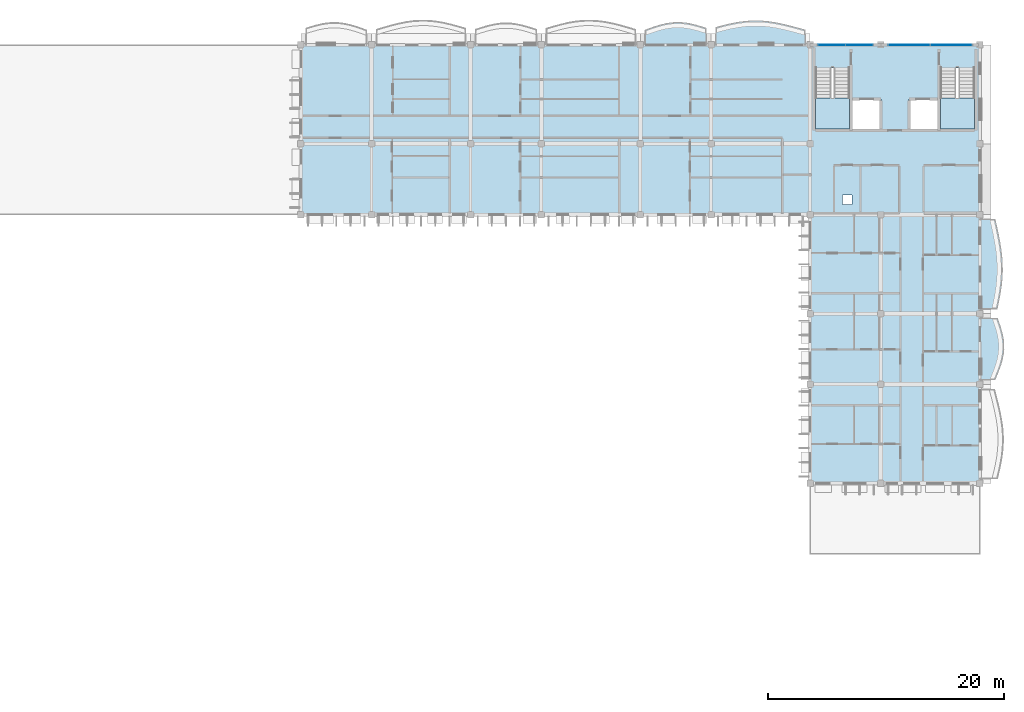
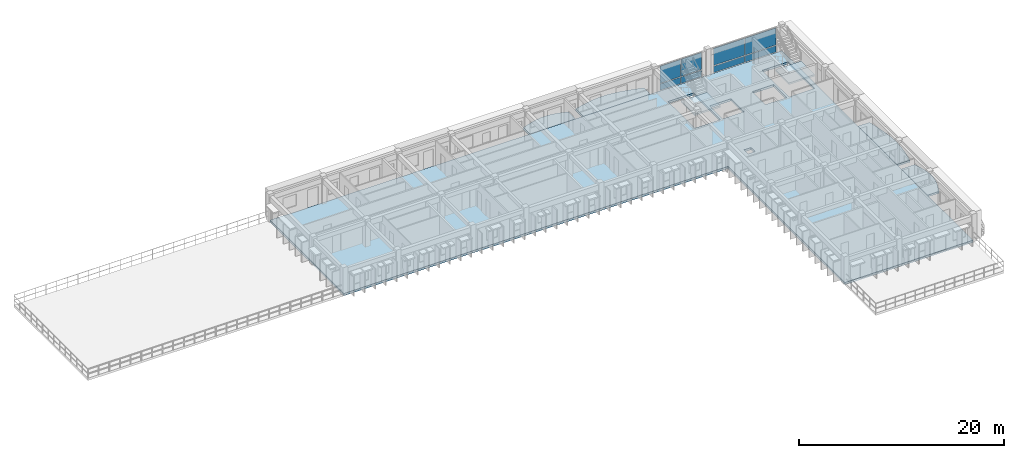
# One storey, part 9 of 45: 8 plates, 7 slabs, 4 elements without a shape of their own.
"""IFC4 building model written with IfcOpenShell, lengths in metres."""

from ifc_helpers import new_model, si_unit, direction, frame, origin, origin_2d, place, context, subcontext, project, spatial, polyline, rectangle, outline, extrude, material, layer, layer_set, type_object, element, aggregate, save


model = new_model("IFC4")

# Units and contexts
model_context = context("Model", 3, precision=1e-05, world=origin(), true_north=direction((0.0, 1.0)))
body_context = subcontext(model_context, "Body", "Model", "MODEL_VIEW")
ifc_project = project(units=[si_unit("LENGTHUNIT", "METRE"), si_unit("AREAUNIT", "SQUARE_METRE"), si_unit("VOLUMEUNIT", "CUBIC_METRE"), si_unit("PLANEANGLEUNIT", "RADIAN"), si_unit("MASSUNIT", "GRAM", prefix="KILO"), si_unit("THERMODYNAMICTEMPERATUREUNIT", "KELVIN")], contexts=[model_context])

# Site, building, storey
site_placement = place(None, origin())
site = spatial("IfcSite", under=ifc_project, at=site_placement, CompositionType="ELEMENT")
building_placement = place(site_placement, origin())
building = spatial("IfcBuilding", under=site, at=building_placement, Name="Thalorik Housing Commons", CompositionType="ELEMENT")
storey_placement = place(building_placement, frame((0.0, 0.0, 34.5)))
storey = spatial("IfcBuildingStorey", under=building, at=storey_placement, Name="L10", CompositionType="ELEMENT", Elevation=34.5)

# Curtain wall, plates
ifc_material_1 = material(Name="Anodised aluminium and solar-control low-E glass", Category="aluminium")
curtain_wall_type = type_object("IfcCurtainWallType", Name="ARC-CW-CORE", PredefinedType="USERDEFINED", material=ifc_material_1)
curtain_wall_1_placement = place(storey_placement, origin())
curtain_wall_1 = element("IfcCurtainWall", 1, at=curtain_wall_1_placement, inside=storey, type_object=curtain_wall_type, Name="L10 Curtain Wall CW-CORE-L10-B-116", ObjectType="CURTAIN WALL", PredefinedType="USERDEFINED")
ifc_material_2 = material(Name="Cobalt blue enamelled aluminium spandrel panel", Category="aluminium")
ifc_layer_1 = layer(ifc_material_2, 0.0458984375, Name="Cobalt blue enamelled aluminium spandrel panel", Category="aluminium")
ifc_layer_set_1 = layer_set([ifc_layer_1], Name="Cobalt blue enamelled aluminium spandrel panel")
plate_type_1 = type_object("IfcPlateType", Name="ARC-CP-BLU-46", PredefinedType="CURTAIN_PANEL", material=ifc_layer_set_1)
plate_1_placement = place(storey_placement, frame((164.375, 123.60009765625, 0.080078125), z_axis=(0.0, 0.0, 1.0), x_axis=(-1.0, 0.0, 0.0)))
plate_1 = element("IfcPlate", 2, at=plate_1_placement, type_object=plate_type_1, Name="CW-CORE-L10-B-116 Spandrel Panel 1", PredefinedType="CURTAIN_PANEL", context=body_context, shape_type="SweptSolid", body=[
    extrude(rectangle(XDim=3.489990234375, YDim=0.0458984375, at=origin_2d()), origin(), (0.0, 0.0, 1.0), 0.760009765625),
])
plate_2_placement = place(storey_placement, frame((160.824951171875, 123.60009765625, 0.080078125), z_axis=(0.0, 0.0, 1.0), x_axis=(-1.0, 0.0, 0.0)))
plate_2 = element("IfcPlate", 3, at=plate_2_placement, type_object=plate_type_1, Name="CW-CORE-L10-B-116 Spandrel Panel 2", PredefinedType="CURTAIN_PANEL", context=body_context, shape_type="SweptSolid", body=[
    extrude(rectangle(XDim=3.489990234375, YDim=0.0458984375, at=origin_2d()), origin(), (0.0, 0.0, 1.0), 0.760009765625),
])
ifc_material_3 = material(Name="Double solar-control low-E glass", Category="glass")
ifc_layer_2 = layer(ifc_material_3, 0.028076171875, Name="Double solar-control low-E glass", Category="glass")
ifc_layer_set_2 = layer_set([ifc_layer_2], Name="Double solar-control low-E glass")
plate_type_2 = type_object("IfcPlateType", Name="ARC-CP-GLZ-28", PredefinedType="CURTAIN_PANEL", material=ifc_layer_set_2)
plate_3_placement = place(storey_placement, frame((164.375, 123.60009765625, 0.919921875), z_axis=(0.0, 0.0, 1.0), x_axis=(-1.0, 0.0, 0.0)))
plate_3 = element("IfcPlate", 4, at=plate_3_placement, type_object=plate_type_2, Name="CW-CORE-L10-B-116 Vision Panel 1", PredefinedType="CURTAIN_PANEL", context=body_context, shape_type="SweptSolid", body=[
    extrude(rectangle(XDim=3.489990234375, YDim=0.028076171875, at=origin_2d()), origin(), (0.0, 0.0, 1.0), 2.0400390625),
])
plate_4_placement = place(storey_placement, frame((160.824951171875, 123.60009765625, 0.919921875), z_axis=(0.0, 0.0, 1.0), x_axis=(-1.0, 0.0, 0.0)))
plate_4 = element("IfcPlate", 5, at=plate_4_placement, type_object=plate_type_2, Name="CW-CORE-L10-B-116 Vision Panel 2", PredefinedType="CURTAIN_PANEL", context=body_context, shape_type="SweptSolid", body=[
    extrude(rectangle(XDim=3.489990234375, YDim=0.028076171875, at=origin_2d()), origin(), (0.0, 0.0, 1.0), 2.0400390625),
])
aggregate(curtain_wall_1, [plate_1, plate_3, plate_2, plate_4])

curtain_wall_2_placement = place(storey_placement, origin())
curtain_wall_2 = element("IfcCurtainWall", 6, at=curtain_wall_2_placement, inside=storey, type_object=curtain_wall_type, Name="L10 Curtain Wall CW-CORE-L10-B-117", ObjectType="CURTAIN WALL", PredefinedType="USERDEFINED")
plate_5_placement = place(storey_placement, frame((156.574951171875, 123.60009765625, 0.919921875), z_axis=(0.0, 0.0, 1.0), x_axis=(-1.0, 0.0, 0.0)))
plate_5 = element("IfcPlate", 7, at=plate_5_placement, type_object=plate_type_2, Name="CW-CORE-L10-B-117 Vision Panel 1", PredefinedType="CURTAIN_PANEL", context=body_context, shape_type="SweptSolid", body=[
    extrude(rectangle(XDim=2.2900390625, YDim=0.028076171875, at=origin_2d()), origin(), (0.0, 0.0, 1.0), 2.0400390625),
])
plate_6_placement = place(storey_placement, frame((154.22509765625, 123.60009765625, 0.919921875), z_axis=(0.0, 0.0, 1.0), x_axis=(-1.0, 0.0, 0.0)))
plate_6 = element("IfcPlate", 8, at=plate_6_placement, type_object=plate_type_2, Name="CW-CORE-L10-B-117 Vision Panel 2", PredefinedType="CURTAIN_PANEL", context=body_context, shape_type="SweptSolid", body=[
    extrude(rectangle(XDim=2.2900390625, YDim=0.028076171875, at=origin_2d()), origin(), (0.0, 0.0, 1.0), 2.0400390625),
])
ifc_material_4 = material(Name="Mineral ochre yellow aluminium spandrel panel", Category="aluminium")
ifc_layer_3 = layer(ifc_material_4, 0.050048828125, Name="Mineral ochre yellow aluminium spandrel panel", Category="aluminium")
ifc_layer_set_3 = layer_set([ifc_layer_3], Name="Mineral ochre yellow aluminium spandrel panel")
plate_type_3 = type_object("IfcPlateType", Name="ARC-CP-YEL-50", PredefinedType="CURTAIN_PANEL", material=ifc_layer_set_3)
plate_7_placement = place(storey_placement, frame((156.574951171875, 123.60009765625, 0.080078125), z_axis=(0.0, 0.0, 1.0), x_axis=(-1.0, 0.0, 0.0)))
plate_7 = element("IfcPlate", 9, at=plate_7_placement, type_object=plate_type_3, Name="CW-CORE-L10-B-117 Spandrel Panel 1", PredefinedType="CURTAIN_PANEL", context=body_context, shape_type="SweptSolid", body=[
    extrude(rectangle(XDim=2.2900390625, YDim=0.050048828125, at=origin_2d()), origin(), (0.0, 0.0, 1.0), 0.760009765625),
])
plate_8_placement = place(storey_placement, frame((154.22509765625, 123.60009765625, 0.080078125), z_axis=(0.0, 0.0, 1.0), x_axis=(-1.0, 0.0, 0.0)))
plate_8 = element("IfcPlate", 10, at=plate_8_placement, type_object=plate_type_3, Name="CW-CORE-L10-B-117 Spandrel Panel 2", PredefinedType="CURTAIN_PANEL", context=body_context, shape_type="SweptSolid", body=[
    extrude(rectangle(XDim=2.2900390625, YDim=0.050048828125, at=origin_2d()), origin(), (0.0, 0.0, 1.0), 0.760009765625),
])
aggregate(curtain_wall_2, [plate_7, plate_5, plate_8, plate_6])

# Stair, slab
ifc_material_5 = material(Name="Precast concrete C40/50", Category="concrete")
stair_type = type_object("IfcStairType", Name="ARC-STR-1350-R20", PredefinedType="HALF_TURN_STAIR", material=ifc_material_5)
stair_1_placement = place(storey_placement, origin())
stair_1 = element("IfcStair", 11, at=stair_1_placement, inside=storey, type_object=stair_type, Name="L10 Block B Smoke-Proof Stair 1", PredefinedType="HALF_TURN_STAIR")
ifc_layer_4 = layer(ifc_material_5, 0.199951171875, Name="Precast concrete C40/50", Category="concrete")
ifc_layer_set_4 = layer_set([ifc_layer_4], Name="Precast concrete C40/50")
slab_type_1 = type_object("IfcSlabType", Name="ARC-SLB-STLND-200", PredefinedType="LANDING", material=ifc_layer_set_4)
slab_1_placement = place(storey_placement, frame((0.0, 0.0, 1.449951171875)))
slab_1 = element("IfcSlab", 12, at=slab_1_placement, type_object=slab_type_1, Name="ST-B1 landing 1", PredefinedType="LANDING", context=body_context, shape_type="SweptSolid", body=[
    extrude(outline(polyline([(152.85009765625, 119.090087890625), (152.85009765625, 116.449951171875), (155.75, 116.449951171875), (155.75, 119.090087890625), (152.85009765625, 119.090087890625)])), origin(), (0.0, 0.0, 1.0), 0.199951171875),
])
aggregate(stair_1, [slab_1])

stair_2_placement = place(storey_placement, origin())
stair_2 = element("IfcStair", 13, at=stair_2_placement, inside=storey, type_object=stair_type, Name="L10 Block B Smoke-Proof Stair 2", PredefinedType="HALF_TURN_STAIR")
slab_2_placement = place(storey_placement, frame((0.0, 0.0, 1.449951171875)))
slab_2 = element("IfcSlab", 14, at=slab_2_placement, type_object=slab_type_1, Name="ST-B2 landing 1", PredefinedType="LANDING", context=body_context, shape_type="SweptSolid", body=[
    extrude(outline(polyline([(163.449951171875, 119.090087890625), (163.449951171875, 116.449951171875), (166.35009765625, 116.449951171875), (166.35009765625, 119.090087890625), (163.449951171875, 119.090087890625)])), origin(), (0.0, 0.0, 1.0), 0.199951171875),
])
aggregate(stair_2, [slab_2])

# Slabs
ifc_layer_5 = layer(ifc_material_5, 0.199951171875, Name="Precast concrete C40/50", Category="concrete")
ifc_layer_set_5 = layer_set([ifc_layer_5], Name="Precast concrete C40/50")
slab_type_2 = type_object("IfcSlabType", Name="STR-SLB-BALC-200", PredefinedType="FLOOR", material=ifc_layer_set_5)
slab_3_placement = place(storey_placement, frame((0.0, 0.0, -0.199951171875)))
element("IfcSlab", 15, at=slab_3_placement, inside=storey, type_object=slab_type_2, Name="L10 Block B Cushion Balcony 228", PredefinedType="FLOOR", context=body_context, shape_type="SweptSolid", body=[
    extrude(outline(polyline([(138.419921875, 123.60009765625), (143.580078125, 123.60009765625), (143.580078125, 125.0087890625), (143.14990234375, 125.1455078125), (142.719970703125, 125.270751953125), (142.2900390625, 125.37548828125), (141.860107421875, 125.45166015625), (141.429931640625, 125.4931640625), (141.0, 125.496826171875), (140.570068359375, 125.4619140625), (140.139892578125, 125.389892578125), (139.7099609375, 125.28564453125), (139.280029296875, 125.156005859375), (138.85009765625, 125.009765625), (138.419921875, 124.856689453125), (138.419921875, 123.60009765625)])), origin(), (0.0, 0.0, 1.0), 0.199951171875),
])
slab_4_placement = place(storey_placement, frame((0.0, 0.0, -0.199951171875)))
element("IfcSlab", 16, at=slab_4_placement, inside=storey, type_object=slab_type_2, Name="L10 Block B Cushion Balcony 231", PredefinedType="FLOOR", context=body_context, shape_type="SweptSolid", body=[
    extrude(outline(polyline([(168.08935546875, 95.219970703125), (168.265625, 95.64990234375), (168.433349609375, 96.080078125), (168.58154296875, 96.510009765625), (168.701171875, 96.93994140625), (168.784423828125, 97.3701171875), (168.826416015625, 97.800048828125), (168.825439453125, 98.22998046875), (168.78173828125, 98.659912109375), (168.698974609375, 99.090087890625), (168.583251953125, 99.52001953125), (168.443115234375, 99.949951171875), (168.287841796875, 100.3798828125), (166.800048828125, 100.3798828125), (166.800048828125, 95.219970703125), (168.08935546875, 95.219970703125)])), origin(), (0.0, 0.0, 1.0), 0.199951171875),
])
ifc_layer_6 = layer(ifc_material_5, 0.219970703125, Name="Precast concrete C40/50", Category="concrete")
ifc_layer_set_6 = layer_set([ifc_layer_6], Name="Precast concrete C40/50")
slab_type_3 = type_object("IfcSlabType", Name="STR-SLB-BALC-220", PredefinedType="FLOOR", material=ifc_layer_set_6)
slab_5_placement = place(storey_placement, frame((0.0, 0.0, -0.219970703125)))
element("IfcSlab", 17, at=slab_5_placement, inside=storey, type_object=slab_type_3, Name="L10 Block B Cushion Balcony 229", PredefinedType="FLOOR", context=body_context, shape_type="SweptSolid", body=[
    extrude(outline(polyline([(144.419921875, 123.60009765625), (151.97998046875, 123.60009765625), (151.97998046875, 124.855712890625), (151.35009765625, 125.028564453125), (150.719970703125, 125.19775390625), (150.090087890625, 125.351806640625), (149.4599609375, 125.48046875), (148.830078125, 125.57421875), (148.199951171875, 125.62646484375), (147.570068359375, 125.6337890625), (146.93994140625, 125.59521484375), (146.31005859375, 125.513427734375), (145.679931640625, 125.3935546875), (145.050048828125, 125.244140625), (144.419921875, 125.074951171875), (144.419921875, 123.60009765625)])), origin(), (0.0, 0.0, 1.0), 0.219970703125),
])
slab_6_placement = place(storey_placement, frame((0.0, 0.0, -0.219970703125)))
element("IfcSlab", 18, at=slab_6_placement, inside=storey, type_object=slab_type_3, Name="L10 Block B Cushion Balcony 232", PredefinedType="FLOOR", context=body_context, shape_type="SweptSolid", body=[
    extrude(outline(polyline([(168.259521484375, 101.219970703125), (168.3935546875, 101.85009765625), (168.51171875, 102.47998046875), (168.6064453125, 103.110107421875), (168.671142578125, 103.739990234375), (168.701904296875, 104.3701171875), (168.697021484375, 105.0), (168.65625, 105.6298828125), (168.583251953125, 106.260009765625), (168.48291015625, 106.889892578125), (168.36181640625, 107.52001953125), (168.228515625, 108.14990234375), (168.091796875, 108.780029296875), (166.800048828125, 108.780029296875), (166.800048828125, 101.219970703125), (168.259521484375, 101.219970703125)])), origin(), (0.0, 0.0, 1.0), 0.219970703125),
])
ifc_material_6 = material(Name="Precast concrete C45/55", Category="concrete")
ifc_layer_7 = layer(ifc_material_6, 0.260009765625, Name="Precast concrete C45/55", Category="concrete")
ifc_layer_set_7 = layer_set([ifc_layer_7], Name="Precast concrete C45/55")
slab_type_4 = type_object("IfcSlabType", Name="STR-SLB-HC-260", PredefinedType="FLOOR", material=ifc_layer_set_7)
slab_7_placement = place(storey_placement, frame((0.0, 0.0, -0.260009765625)))
element("IfcSlab", 19, at=slab_7_placement, inside=storey, type_object=slab_type_4, Name="L10 Residential Block B Floor Slab", PredefinedType="FLOOR", context=body_context, shape_type="SweptSolid", body=[
    extrude(outline(polyline([(109.199951171875, 109.199951171875), (152.39990234375, 109.199951171875), (152.39990234375, 86.39990234375), (166.800048828125, 86.39990234375), (166.800048828125, 109.199951171875), (166.800048828125, 123.60009765625), (109.199951171875, 123.60009765625), (109.199951171875, 109.199951171875)]), holes=[polyline([(152.85009765625, 121.64990234375), (155.75, 121.64990234375), (155.75, 116.449951171875), (152.85009765625, 116.449951171875), (152.85009765625, 121.64990234375)]), polyline([(166.35009765625, 121.64990234375), (166.35009765625, 116.449951171875), (163.449951171875, 116.449951171875), (163.449951171875, 121.64990234375), (166.35009765625, 121.64990234375)]), polyline([(158.39990234375, 119.0), (158.39990234375, 116.449951171875), (156.0, 116.449951171875), (156.0, 119.0), (158.39990234375, 119.0)]), polyline([(163.199951171875, 116.449951171875), (160.800048828125, 116.449951171875), (160.800048828125, 119.0), (163.199951171875, 119.0), (163.199951171875, 116.449951171875)]), polyline([(155.14990234375, 110.050048828125), (155.14990234375, 110.85009765625), (155.949951171875, 110.85009765625), (155.949951171875, 110.050048828125), (155.14990234375, 110.050048828125)])]), origin(), (0.0, 0.0, 1.0), 0.260009765625),
])

save(model, "model.ifc")
